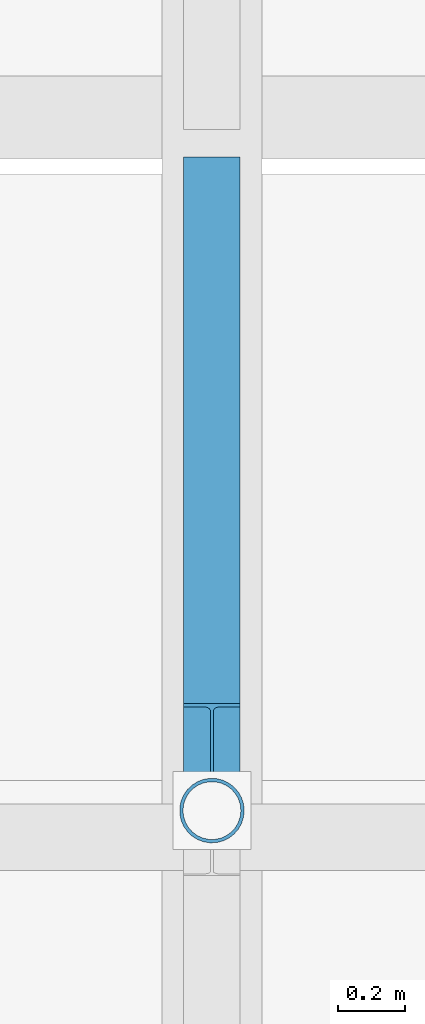
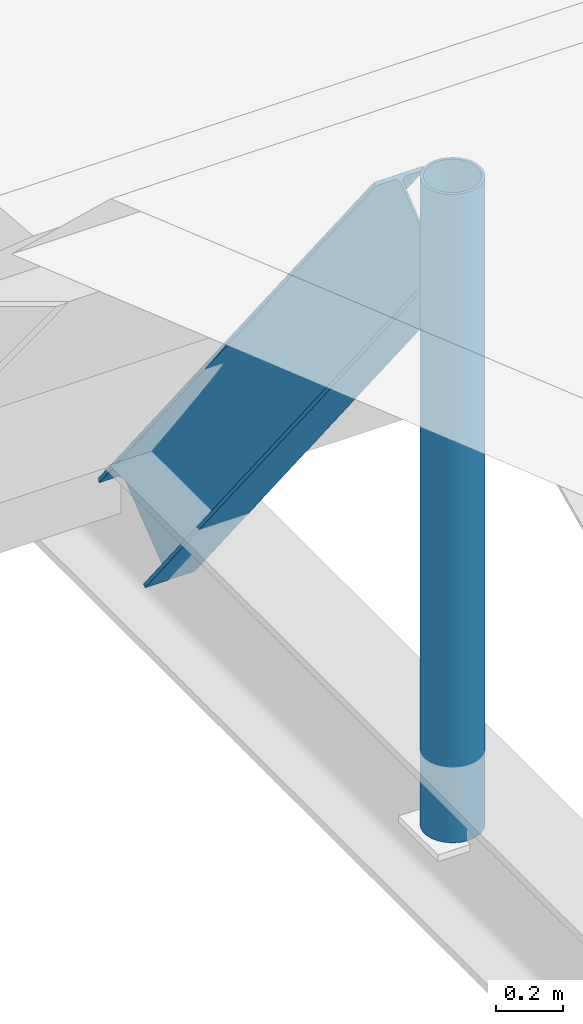
# One storey, part 75 of 138: 1 beam, 1 member.
"""IFC4 building model written with IfcOpenShell, lengths in metres."""

from ifc_helpers import new_model, si_unit, direction, frame, origin, origin_2d, place, context, subcontext, project, spatial, hollow_circle, i_section, extrude, material, material_profile, profile_set, type_object, element, save


model = new_model("IFC4")

# Units and contexts
model_context = context("Model", 3, precision=1e-05, world=origin(), true_north=direction((0.0, 1.0)))
body_context = subcontext(model_context, "Body", "Model", "MODEL_VIEW")
ifc_project = project(units=[si_unit("LENGTHUNIT", "METRE"), si_unit("AREAUNIT", "SQUARE_METRE"), si_unit("VOLUMEUNIT", "CUBIC_METRE"), si_unit("PLANEANGLEUNIT", "RADIAN"), si_unit("MASSUNIT", "GRAM", prefix="KILO")], contexts=[model_context])

# Site, building, storey
site_placement = place(None, origin())
site = spatial("IfcSite", under=ifc_project, at=site_placement, CompositionType="ELEMENT")
building_placement = place(site_placement, origin())
building = spatial("IfcBuilding", under=site, at=building_placement, Name="Vinh Khe Railworks Police Headquarters", CompositionType="ELEMENT")
storey_placement = place(building_placement, frame((0.0, 0.0, 9.0)))
storey = spatial("IfcBuildingStorey", under=building, at=storey_placement, Name="L02", CompositionType="ELEMENT", Elevation=9.0)

# Member
ifc_material = material(Name="Steel S355JR", Category="steel")
ifc_material_profile_1 = material_profile(ifc_material, hollow_circle(Radius=0.096923828125, WallThickness=0.010009765625, at=origin_2d()), Name="CHS 193.7x10")
ifc_profile_set_1 = profile_set([ifc_material_profile_1], Name="Steel S355JR")
member_type = type_object("IfcMemberType", Name="Roof Strut CHS 193.7x10", PredefinedType="STRUT", material=ifc_profile_set_1)
member_placement = place(storey_placement, frame((46.199951171875, 150.199951171875, 0.199951171875), z_axis=(0.0, 0.0, 1.0), x_axis=(1.0, 0.0, 0.0)))
element("IfcMember", 1, at=member_placement, inside=storey, type_object=member_type, Name="Sawtooth Ridge Post 2", PredefinedType="STRUT", context=body_context, shape_type="SweptSolid", body=[
    extrude(hollow_circle(Radius=0.096923828125, WallThickness=0.010009765625, at=origin_2d()), origin(), (0.0, 0.0, 1.0), 2.35009765625),
])

# Beam
ifc_material_profile_2 = material_profile(ifc_material, i_section(OverallWidth=0.169921875, OverallDepth=0.360107421875, WebThickness=0.008056640625, FlangeThickness=0.0126953125, FilletRadius=0.01806640625, at=origin_2d()), Name="IPE 360")
ifc_profile_set_2 = profile_set([ifc_material_profile_2], Name="Steel S355JR")
beam_type = type_object("IfcBeamType", Name="Steel Girder IPE 360", PredefinedType="BEAM", material=ifc_profile_set_2)
beam_placement = place(storey_placement, frame((46.199951171875, 150.3798828125, 2.25), z_axis=(0.0, 0.621013068577, -0.783800209656), x_axis=(-1.0, 0.0, 0.0)))
element("IfcBeam", 2, at=beam_placement, inside=storey, type_object=beam_type, Name="Sawtooth Clerestory Girder 2N", PredefinedType="BEAM", context=body_context, shape_type="SweptSolid", body=[
    extrude(i_section(OverallWidth=0.169921875, OverallDepth=0.360107421875, WebThickness=0.008056640625, FlangeThickness=0.0126953125, FilletRadius=0.01806640625, at=origin_2d()), origin(), (0.0, 0.0, 1.0), 2.64111328125),
])

save(model, "model.ifc")
